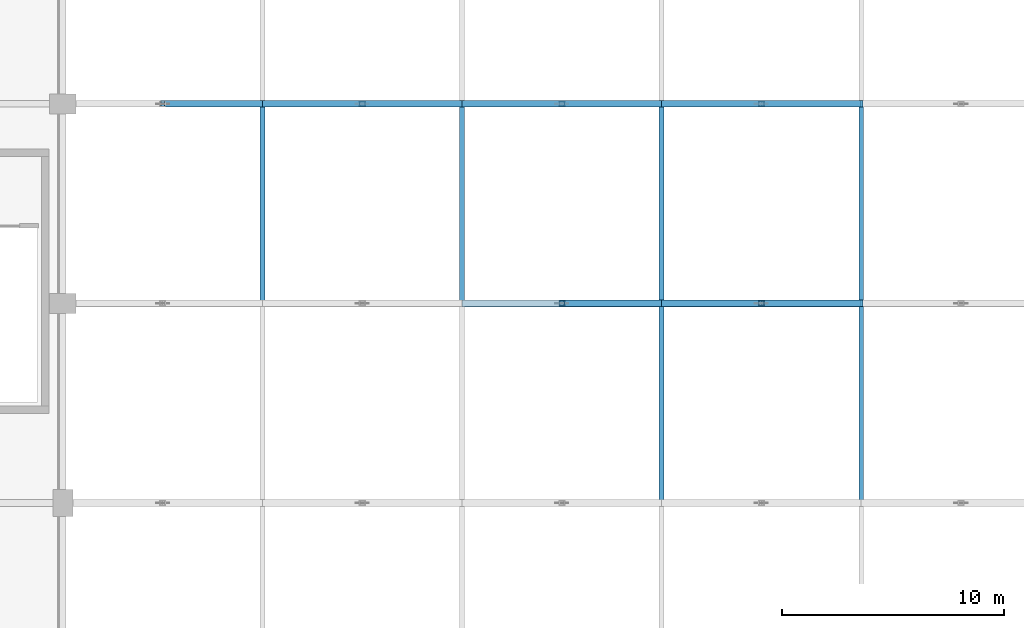
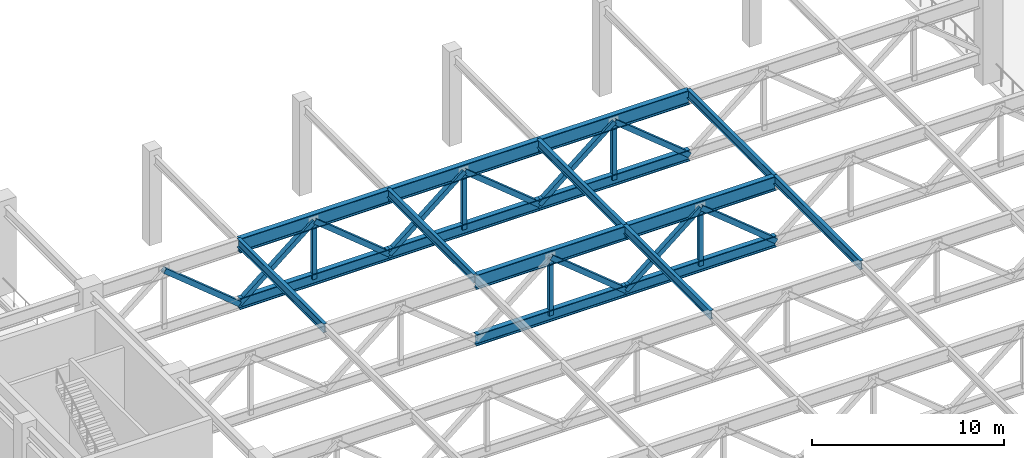
# One storey, part 23 of 223: 16 beams, 15 members.
"""IFC4 building model written with IfcOpenShell, lengths in metres."""

import ifcopenshell
import ifcopenshell.guid

model = None  # the IFC model being written
_history = None  # IfcOwnerHistory: only IFC2X3 demands one
_inside = {}  # id of a spatial element -> (the spatial element, [elements in it])
_under = {}  # id of a project, library or spatial element -> (it, [spatial elements below it])
_declared = {}  # id of a project -> (the project, [libraries it declares])
_typed = {}  # id of a type object -> (the type object, [elements of that type])
_made_of = {}  # id of a material, layer set ... -> (it, [elements and type objects made of it])


def new_model(schema):
    """Start an empty IFC model of exactly this schema.

    Asked for "IFC4X3", IfcOpenShell would pick the latest addendum, in which some entities
    have other attributes; the version numbers below select the first issue.
    IFC2X3 requires an IfcOwnerHistory on every rooted entity: one is made here for all.
    """
    global model, _history
    if schema == "IFC4X3":
        model = ifcopenshell.file(schema_version=(4, 3, 0, 0))
    else:
        model = ifcopenshell.file(schema=schema)
    _inside.clear()
    _under.clear()
    _declared.clear()
    _typed.clear()
    _made_of.clear()
    _history = None
    if model.schema == "IFC2X3":
        org = make("IfcOrganization", Name="unknown")
        user = make(
            "IfcPersonAndOrganization",
            ThePerson=make("IfcPerson", FamilyName="unknown"),
            TheOrganization=org,
        )
        app = make(
            "IfcApplication",
            ApplicationDeveloper=org,
            Version="unknown",
            ApplicationFullName="unknown",
            ApplicationIdentifier="unknown",
        )
        _history = make(
            "IfcOwnerHistory",
            OwningUser=user,
            OwningApplication=app,
            ChangeAction="ADDED",
            CreationDate=0,
        )
    return model


def make(cls, **values):
    """One entity of the class cls with the attributes given. An attribute that is None is left unset."""
    return model.create_entity(
        cls, **{name: value for name, value in values.items() if value is not None}
    )


def rooted(cls, **values):
    """An entity with a GlobalId (a new one), such as an element, a storey or a relation."""
    return make(cls, GlobalId=ifcopenshell.guid.new(), OwnerHistory=_history, **values)


def si_unit(unit_type, name, prefix=None):
    """IfcSIUnit, for example si_unit("LENGTHUNIT", "METRE", prefix="MILLI")."""
    return make("IfcSIUnit", UnitType=unit_type, Prefix=prefix, Name=name)


def assignment(units):
    """IfcUnitAssignment: the units of a project."""
    return None if units is None else make("IfcUnitAssignment", Units=units)


def point(xyz):
    """IfcCartesianPoint."""
    return None if xyz is None else make("IfcCartesianPoint", Coordinates=xyz)


def direction(xyz):
    """IfcDirection."""
    return None if xyz is None else make("IfcDirection", DirectionRatios=xyz)


def frame(location, z_axis=None, x_axis=None):
    """IfcAxis2Placement3D, a coordinate frame: its origin and axes. An axis left out is left unset."""
    return make(
        "IfcAxis2Placement3D",
        Location=point(location),
        Axis=direction(z_axis),
        RefDirection=direction(x_axis),
    )


def frame_2d(location, x_axis=None):
    """IfcAxis2Placement2D, a coordinate frame in the plane: its origin and x axis."""
    return make(
        "IfcAxis2Placement2D", Location=point(location), RefDirection=direction(x_axis)
    )


def origin():
    """The frame at (0, 0, 0) with its axes left unset."""
    return frame((0.0, 0.0, 0.0))


def origin_2d():
    """The frame at (0, 0) in the plane with its x axis left unset."""
    return frame_2d((0.0, 0.0))


def place(relative_to, where):
    """IfcLocalPlacement: puts the frame where relative to a parent placement (None: the world)."""
    return make(
        "IfcLocalPlacement", PlacementRelTo=relative_to, RelativePlacement=where
    )


def context(
    kind, dimensions, precision=None, world=None, true_north=None, identifier=None
):
    """IfcGeometricRepresentationContext, for example the 3D "Model" context."""
    return make(
        "IfcGeometricRepresentationContext",
        ContextIdentifier=identifier,
        ContextType=kind,
        CoordinateSpaceDimension=dimensions,
        Precision=precision,
        WorldCoordinateSystem=world,
        TrueNorth=true_north,
    )


def subcontext(parent, identifier, kind, view, scale=None):
    """IfcGeometricRepresentationSubContext, for example "Body" below "Model"."""
    return make(
        "IfcGeometricRepresentationSubContext",
        ContextIdentifier=identifier,
        ContextType=kind,
        ParentContext=parent,
        TargetScale=scale,
        TargetView=view,
    )


def project(units=None, contexts=None):
    """IfcProject with its units and contexts."""
    return rooted(
        "IfcProject",
        Name="project",
        RepresentationContexts=contexts,
        UnitsInContext=assignment(units),
    )


def spatial(cls, under=None, at=None, **own):
    """A site, building, storey or space (cls), placed at a placement, below another one or the project."""
    s = rooted(cls, ObjectPlacement=at, **own)
    if under is not None:
        _under.setdefault(under.id(), (under, []))[1].append(s)
    return s


def profile(cls, at=None, kind="AREA", **sizes):
    """A parametric profile (cls). Its sizes go by their IFC names, for example OverallWidth=200.0."""
    return make(cls, ProfileType=kind, Position=at, **sizes)


def hollow_rectangle(**sizes):
    """IfcRectangleHollowProfileDef."""
    return profile("IfcRectangleHollowProfileDef", **sizes)


def i_section(**sizes):
    """IfcIShapeProfileDef."""
    return profile("IfcIShapeProfileDef", **sizes)


def extrude(swept, where, along, depth):
    """IfcExtrudedAreaSolid: the profile swept, set in the frame where, extruded along a direction by depth."""
    return make(
        "IfcExtrudedAreaSolid",
        SweptArea=swept,
        Position=where,
        ExtrudedDirection=direction(along),
        Depth=depth,
    )


def shape(context_of_items, identifier, shape_type, items):
    """IfcShapeRepresentation: the items that make up one representation, for example the "Body"."""
    return make(
        "IfcShapeRepresentation",
        ContextOfItems=context_of_items,
        RepresentationIdentifier=identifier,
        RepresentationType=shape_type,
        Items=items,
    )


def material(Name=None, Category=None):
    """IfcMaterial."""
    return make("IfcMaterial", Name=Name, Category=Category)


def material_profile(
    of_material, cross_section, Name=None, Category=None, Priority=None
):
    """IfcMaterialProfile: a cross section and its material."""
    return make(
        "IfcMaterialProfile",
        Name=Name,
        Material=of_material,
        Profile=cross_section,
        Priority=Priority,
        Category=Category,
    )


def profile_set(profiles, Name=None, composite=None):
    """IfcMaterialProfileSet."""
    return make(
        "IfcMaterialProfileSet",
        Name=Name,
        MaterialProfiles=profiles,
        CompositeProfile=composite,
    )


def made_of(thing, what):
    """Note that an element or type object is made of a material, layer set ...; save() writes the relation."""
    if what is not None:
        _made_of.setdefault(what.id(), (what, []))[1].append(thing)
    return thing


def type_object(cls, material=None, **own):
    """A type object (cls), such as IfcWallType, which elements share."""
    return made_of(rooted(cls, **own), material)


def element(
    cls,
    number,
    at=None,
    inside=None,
    cuts=None,
    type_object=None,
    material=None,
    context=None,
    identifier="Body",
    shape_type=None,
    held_by="IfcProductDefinitionShape",
    body=None,
    shapes=None,
    **own,
):
    """One element of the class cls, such as IfcWall. Its Tag is "e" and its number.

    at: its placement. inside: the storey or other place that contains it. cuts: it is an
    opening in that element (IfcRelVoidsElement). A single representation is given by context,
    identifier, shape_type and body (its items); several are given by shapes. held_by: the class
    of the entity that holds the representations. save() writes the other relations.
    """
    e = rooted(cls, Tag="e%d" % number, ObjectPlacement=at, **own)
    if body is not None:
        shapes = [shape(context, identifier, shape_type, body)]
    if shapes is not None:
        e.Representation = make(held_by, Representations=shapes)
    if inside is not None:
        _inside.setdefault(inside.id(), (inside, []))[1].append(e)
    if cuts is not None:
        rooted(
            "IfcRelVoidsElement", RelatingBuildingElement=cuts, RelatedOpeningElement=e
        )
    if type_object is not None:
        _typed.setdefault(type_object.id(), (type_object, []))[1].append(e)
    return made_of(e, material)


def aggregate(whole, parts):
    """IfcRelAggregates: a whole, such as a stair, and the parts it consists of."""
    return rooted("IfcRelAggregates", RelatingObject=whole, RelatedObjects=parts)


def save(model, path):
    """Write the relations noted so far, then the file.

    IfcRelAggregates (storeys below a building ...), IfcRelContainedInSpatialStructure (elements
    in a storey), IfcRelDefinesByType, IfcRelAssociatesMaterial and IfcRelDeclares: one each for
    every whole, place, type object, material and project.
    """
    for whole, parts in _under.values():
        aggregate(whole, parts)
    for where, things in _inside.values():
        rooted(
            "IfcRelContainedInSpatialStructure",
            RelatedElements=things,
            RelatingStructure=where,
        )
    for kind, things in _typed.values():
        rooted("IfcRelDefinesByType", RelatedObjects=things, RelatingType=kind)
    for what, things in _made_of.values():
        rooted("IfcRelAssociatesMaterial", RelatedObjects=things, RelatingMaterial=what)
    for by, libraries in _declared.values():
        rooted("IfcRelDeclares", RelatingContext=by, RelatedDefinitions=libraries)
    model.write(path)


model = new_model("IFC4")

# Units and contexts
model_context = context("Model", 3, precision=1e-05, world=origin(), true_north=direction((0.0, 1.0)))
body_context = subcontext(model_context, "Body", "Model", "MODEL_VIEW")
ifc_project = project(units=[si_unit("LENGTHUNIT", "METRE"), si_unit("AREAUNIT", "SQUARE_METRE"), si_unit("VOLUMEUNIT", "CUBIC_METRE"), si_unit("PLANEANGLEUNIT", "RADIAN"), si_unit("MASSUNIT", "GRAM", prefix="KILO")], contexts=[model_context])

# Site, building, storey
site_placement = place(None, origin())
site = spatial("IfcSite", under=ifc_project, at=site_placement, CompositionType="ELEMENT")
building_placement = place(site_placement, origin())
building = spatial("IfcBuilding", under=site, at=building_placement, Name="Dornveld Trade and Exhibition Forum", CompositionType="ELEMENT")
storey_placement = place(building_placement, frame((0.0, 0.0, 6.0)))
storey = spatial("IfcBuildingStorey", under=building, at=storey_placement, Name="L01", CompositionType="ELEMENT", Elevation=6.0)

# Beams
ifc_material_1 = material(Name="Steel S355J2", Category="steel")
ifc_material_profile_1 = material_profile(ifc_material_1, i_section(OverallWidth=0.2099609375, OverallDepth=0.550048828125, WebThickness=0.010986328125, FlangeThickness=0.01708984375, FilletRadius=0.02392578125, at=origin_2d()), Name="IPE 550")
ifc_profile_set_1 = profile_set([ifc_material_profile_1], Name="Steel S355J2")
beam_type_1 = type_object("IfcBeamType", Name="BM-SEC-550", PredefinedType="BEAM", material=ifc_profile_set_1)
for number, where, z_axis, x_axis, name in (
    (1, (36.0, 117.0, 5.364990234375), (0.0, 1.0, 0.0), (-1.0, 0.0, 0.0), "Hall 3 secondary deck beam 1383"),
    (2, (45.0, 117.0, 5.364990234375), (0.0, 1.0, 0.0), (-1.0, 0.0, 0.0), "Hall 3 secondary deck beam 1394"),
    (3, (54.0, 108.0, 5.364990234375), (0.0, 1.0, 0.0), (-1.0, 0.0, 0.0), "Hall 3 secondary deck beam 1404"),
    (4, (54.0, 117.0, 5.364990234375), (0.0, 1.0, 0.0), (-1.0, 0.0, 0.0), "Hall 3 secondary deck beam 1405"),
    (5, (63.0, 108.0, 5.364990234375), (0.0, 1.0, 0.0), (-1.0, 0.0, 0.0), "Hall 3 secondary deck beam 1415"),
    (6, (63.0, 117.0, 5.364990234375), (0.0, 1.0, 0.0), (-1.0, 0.0, 0.0), "Hall 3 secondary deck beam 1416"),
):
    element("IfcBeam", number, at=place(storey_placement, frame(where, z_axis=z_axis, x_axis=x_axis)), inside=storey, type_object=beam_type_1, Name=name, PredefinedType="BEAM", context=body_context, shape_type="SweptSolid", body=[
        extrude(i_section(OverallWidth=0.2099609375, OverallDepth=0.550048828125, WebThickness=0.010986328125, FlangeThickness=0.01708984375, FilletRadius=0.02392578125, at=origin_2d()), origin(), (0.0, 0.0, 1.0), 9.0),
    ])
ifc_material_2 = material(Name="Steel S355J2", Category="steel")
ifc_material_profile_2 = material_profile(ifc_material_2, i_section(OverallWidth=0.303955078125, OverallDepth=0.716064453125, WebThickness=0.02099609375, FlangeThickness=0.0400390625, FilletRadius=0.027099609375, at=origin_2d()), Name="HEM 700")
ifc_profile_set_2 = profile_set([ifc_material_profile_2], Name="Steel S355J2")
beam_type_2 = type_object("IfcBeamType", Name="BM-TG-BOT700", PredefinedType="USERDEFINED", material=ifc_profile_set_2)
for number, where, z_axis, x_axis, name in (
    (7, (45.0, 117.0, 1.5), (1.0, 0.0, 0.0), (0.0, 1.0, 0.0), "Hall 3 transfer truss 9 bottom chord 3"),
    (8, (54.0, 117.0, 1.5), (1.0, 0.0, 0.0), (0.0, 1.0, 0.0), "Hall 3 transfer truss 9 bottom chord 4"),
    (9, (36.0, 126.0, 1.5), (1.0, 0.0, 0.0), (0.0, 1.0, 0.0), "Hall 3 transfer truss 10 bottom chord 2"),
    (10, (45.0, 126.0, 1.5), (1.0, 0.0, 0.0), (0.0, 1.0, 0.0), "Hall 3 transfer truss 10 bottom chord 3"),
    (11, (54.0, 126.0, 1.5), (1.0, 0.0, 0.0), (0.0, 1.0, 0.0), "Hall 3 transfer truss 10 bottom chord 4"),
):
    element("IfcBeam", number, at=place(storey_placement, frame(where, z_axis=z_axis, x_axis=x_axis)), inside=storey, type_object=beam_type_2, Name=name, ObjectType="GIRDER", PredefinedType="USERDEFINED", context=body_context, shape_type="SweptSolid", body=[
        extrude(i_section(OverallWidth=0.303955078125, OverallDepth=0.716064453125, WebThickness=0.02099609375, FlangeThickness=0.0400390625, FilletRadius=0.027099609375, at=origin_2d()), origin(), (0.0, 0.0, 1.0), 9.0),
    ])
ifc_material_3 = material(Name="Steel S355J2", Category="steel")
ifc_material_profile_3 = material_profile(ifc_material_3, i_section(OverallWidth=0.302001953125, OverallDepth=0.909912109375, WebThickness=0.02099609375, FlangeThickness=0.0400390625, FilletRadius=0.030029296875, at=origin_2d()), Name="HEM 900")
ifc_profile_set_3 = profile_set([ifc_material_profile_3], Name="Steel S355J2")
beam_type_3 = type_object("IfcBeamType", Name="BM-TG-TOP900", PredefinedType="USERDEFINED", material=ifc_profile_set_3)
for number, where, z_axis, x_axis, name in (
    (12, (45.0, 117.0, 5.18505859375), (1.0, 0.0, 0.0), (0.0, 1.0, 0.0), "Hall 3 transfer truss 9 top chord 3"),
    (13, (54.0, 117.0, 5.18505859375), (1.0, 0.0, 0.0), (0.0, 1.0, 0.0), "Hall 3 transfer truss 9 top chord 4"),
    (14, (36.0, 126.0, 5.18505859375), (1.0, 0.0, 0.0), (0.0, 1.0, 0.0), "Hall 3 transfer truss 10 top chord 2"),
    (15, (45.0, 126.0, 5.18505859375), (1.0, 0.0, 0.0), (0.0, 1.0, 0.0), "Hall 3 transfer truss 10 top chord 3"),
    (16, (54.0, 126.0, 5.18505859375), (1.0, 0.0, 0.0), (0.0, 1.0, 0.0), "Hall 3 transfer truss 10 top chord 4"),
):
    element("IfcBeam", number, at=place(storey_placement, frame(where, z_axis=z_axis, x_axis=x_axis)), inside=storey, type_object=beam_type_3, Name=name, ObjectType="GIRDER", PredefinedType="USERDEFINED", context=body_context, shape_type="SweptSolid", body=[
        extrude(i_section(OverallWidth=0.302001953125, OverallDepth=0.909912109375, WebThickness=0.02099609375, FlangeThickness=0.0400390625, FilletRadius=0.030029296875, at=origin_2d()), origin(), (0.0, 0.0, 1.0), 9.0),
    ])

# Members
ifc_material_4 = material(Name="Steel S355J2", Category="steel")
ifc_material_profile_4 = material_profile(ifc_material_4, hollow_rectangle(XDim=0.25, YDim=0.25, WallThickness=0.012451171875, at=origin_2d()), Name="SHS 250x250x12.5")
ifc_profile_set_4 = profile_set([ifc_material_profile_4], Name="Steel S355J2")
member_type_1 = type_object("IfcMemberType", Name="MEM-XFER-STR", PredefinedType="STRUT", material=ifc_profile_set_4)
for number, where, z_axis, x_axis, name in (
    (17, (49.5, 117.0, 1.5), (0.0, 0.0, 1.0), (1.0, 0.0, 0.0), "Transfer truss 9 strut 153"),
    (18, (58.5, 117.0, 1.5), (0.0, 0.0, 1.0), (1.0, 0.0, 0.0), "Transfer truss 9 strut 156"),
    (19, (40.5, 126.0, 1.5), (0.0, 0.0, 1.0), (1.0, 0.0, 0.0), "Transfer truss 10 strut 168"),
    (20, (49.5, 126.0, 1.5), (0.0, 0.0, 1.0), (1.0, 0.0, 0.0), "Transfer truss 10 strut 171"),
    (21, (58.5, 126.0, 1.5), (0.0, 0.0, 1.0), (1.0, 0.0, 0.0), "Transfer truss 10 strut 174"),
):
    element("IfcMember", number, at=place(storey_placement, frame(where, z_axis=z_axis, x_axis=x_axis)), inside=storey, type_object=member_type_1, Name=name, PredefinedType="STRUT", context=body_context, shape_type="SweptSolid", body=[
        extrude(hollow_rectangle(XDim=0.25, YDim=0.25, WallThickness=0.012451171875, at=origin_2d()), origin(), (0.0, 0.0, 1.0), 3.68505859375),
    ])
ifc_material_5 = material(Name="Steel S355J2", Category="steel")
ifc_material_profile_5 = material_profile(ifc_material_5, hollow_rectangle(XDim=0.300048828125, YDim=0.300048828125, WallThickness=0.01611328125, at=origin_2d()), Name="SHS 300x300x16")
ifc_profile_set_5 = profile_set([ifc_material_profile_5], Name="Steel S355J2")
member_type_2 = type_object("IfcMemberType", Name="MEM-XFER-WEB", PredefinedType="BRACE", material=ifc_profile_set_5)
for number, where, z_axis, x_axis, name in (
    (22, (54.0, 117.0, 1.5), (-0.773684181611, 0.0, 0.633571453843), (0.0, -1.0, 0.0), "Transfer truss 9 web 152"),
    (23, (54.0, 117.0, 1.5), (0.773684181611, 0.0, 0.633571453843), (0.0, 1.0, 0.0), "Transfer truss 9 web 154"),
    (24, (63.0, 117.0, 1.5), (-0.773684181611, 0.0, 0.633571453843), (0.0, -1.0, 0.0), "Transfer truss 9 web 155"),
    (25, (36.0, 126.0, 1.5), (-0.773684181611, 0.0, 0.633571453843), (0.0, -1.0, 0.0), "Transfer truss 10 web 164"),
    (26, (36.0, 126.0, 1.5), (0.773684181611, 0.0, 0.633571453843), (0.0, 1.0, 0.0), "Transfer truss 10 web 166"),
    (27, (45.0, 126.0, 1.5), (-0.773684181611, 0.0, 0.633571453843), (0.0, -1.0, 0.0), "Transfer truss 10 web 167"),
    (28, (45.0, 126.0, 1.5), (0.773684181611, 0.0, 0.633571453843), (0.0, 1.0, 0.0), "Transfer truss 10 web 169"),
    (29, (54.0, 126.0, 1.5), (-0.773684181611, 0.0, 0.633571453843), (0.0, -1.0, 0.0), "Transfer truss 10 web 170"),
    (30, (54.0, 126.0, 1.5), (0.773684181611, 0.0, 0.633571453843), (0.0, 1.0, 0.0), "Transfer truss 10 web 172"),
    (31, (63.0, 126.0, 1.5), (-0.773684181611, 0.0, 0.633571453843), (0.0, -1.0, 0.0), "Transfer truss 10 web 173"),
):
    element("IfcMember", number, at=place(storey_placement, frame(where, z_axis=z_axis, x_axis=x_axis)), inside=storey, type_object=member_type_2, Name=name, PredefinedType="BRACE", context=body_context, shape_type="SweptSolid", body=[
        extrude(hollow_rectangle(XDim=0.300048828125, YDim=0.300048828125, WallThickness=0.01611328125, at=origin_2d()), origin(), (0.0, 0.0, 1.0), 5.81640625),
    ])

save(model, "model.ifc")
